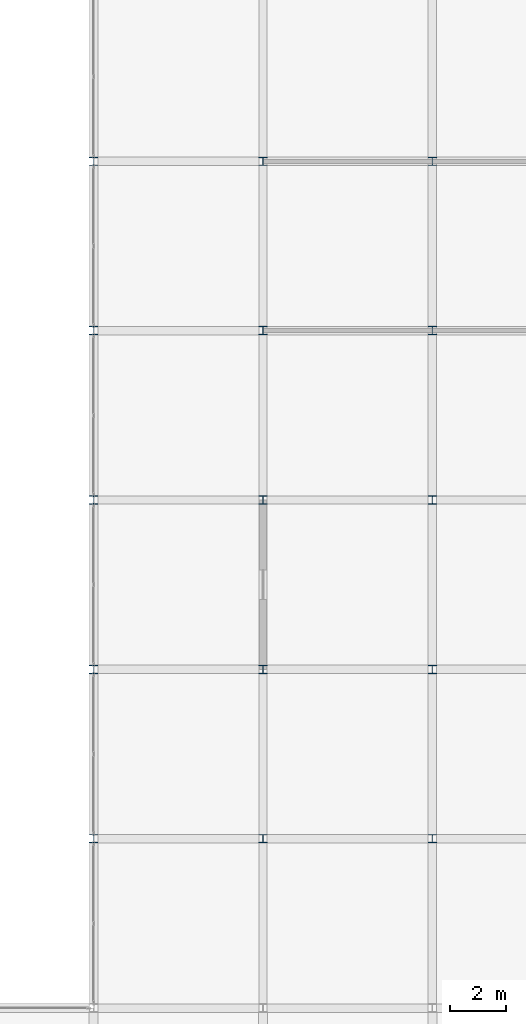
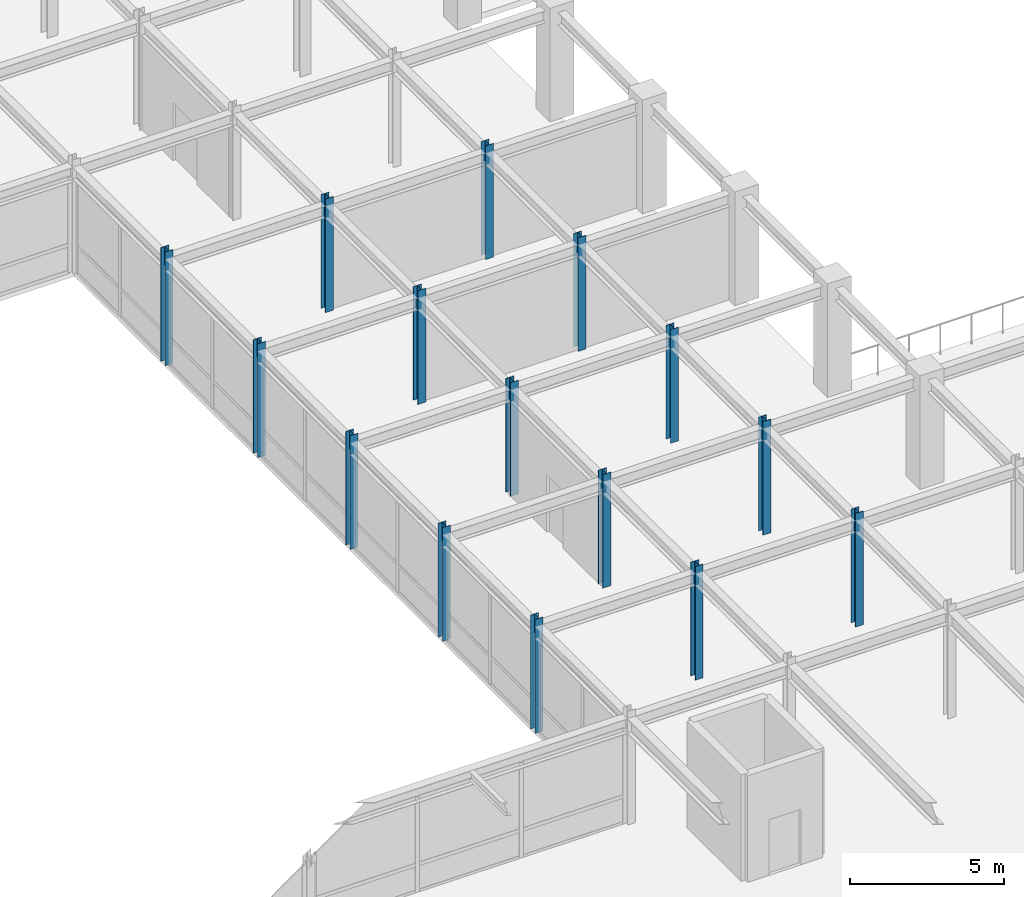
# One storey, part 5 of 108: 15 columns.
"""IFC4 building model written with IfcOpenShell, lengths in metres."""

from ifc_helpers import new_model, si_unit, direction, frame, origin, origin_2d, place, context, subcontext, project, spatial, i_section, extrude, material, material_profile, profile_set, type_object, element, save


model = new_model("IFC4")

# Units and contexts
model_context = context("Model", 3, precision=1e-05, world=origin(), true_north=direction((0.0, 1.0)))
body_context = subcontext(model_context, "Body", "Model", "MODEL_VIEW")
ifc_project = project(units=[si_unit("LENGTHUNIT", "METRE"), si_unit("AREAUNIT", "SQUARE_METRE"), si_unit("VOLUMEUNIT", "CUBIC_METRE"), si_unit("PLANEANGLEUNIT", "RADIAN"), si_unit("MASSUNIT", "GRAM", prefix="KILO")], contexts=[model_context])

# Site, building, storey
site_placement = place(None, origin())
site = spatial("IfcSite", under=ifc_project, at=site_placement, CompositionType="ELEMENT")
building_placement = place(site_placement, origin())
building = spatial("IfcBuilding", under=site, at=building_placement, Name="Zlatovratsky Civic Hall", CompositionType="ELEMENT")
storey_placement = place(building_placement, frame((0.0, 0.0, 12.0)))
storey = spatial("IfcBuildingStorey", under=building, at=storey_placement, Name="L03", CompositionType="ELEMENT", Elevation=12.0)

# Columns
ifc_material = material(Name="Steel S355", Category="steel")
ifc_material_profile = material_profile(ifc_material, i_section(OverallWidth=0.299072265625, OverallDepth=0.2958984375, WebThickness=0.009033203125, FlangeThickness=0.013916015625, FilletRadius=0.01806640625, at=origin_2d()), Name="30K1")
ifc_profile_set = profile_set([ifc_material_profile], Name="Steel S355")
column_type = type_object("IfcColumnType", Name="Col_Steel_30K1", PredefinedType="COLUMN", material=ifc_profile_set)
for number, where, z_axis, x_axis, name in (
    (1, (48.0, 36.0, 0.0), (0.0, 0.0, 1.0), (1.0, 0.0, 0.0), "CL-1272"),
    (2, (54.0, 36.0, 0.0), (0.0, 0.0, 1.0), (1.0, 0.0, 0.0), "CL-1273"),
    (3, (60.0, 36.0, 0.0), (0.0, 0.0, 1.0), (1.0, 0.0, 0.0), "CL-1274"),
    (4, (48.0, 42.0, 0.0), (0.0, 0.0, 1.0), (1.0, 0.0, 0.0), "CL-1291"),
    (5, (54.0, 42.0, 0.0), (0.0, 0.0, 1.0), (1.0, 0.0, 0.0), "CL-1292"),
    (6, (60.0, 42.0, 0.0), (0.0, 0.0, 1.0), (1.0, 0.0, 0.0), "CL-1293"),
    (7, (48.0, 48.0, 0.0), (0.0, 0.0, 1.0), (1.0, 0.0, 0.0), "CL-1310"),
    (8, (54.0, 48.0, 0.0), (0.0, 0.0, 1.0), (1.0, 0.0, 0.0), "CL-1311"),
    (9, (60.0, 48.0, 0.0), (0.0, 0.0, 1.0), (1.0, 0.0, 0.0), "CL-1312"),
    (10, (48.0, 54.0, 0.0), (0.0, 0.0, 1.0), (1.0, 0.0, 0.0), "CL-1324"),
    (11, (54.0, 54.0, 0.0), (0.0, 0.0, 1.0), (1.0, 0.0, 0.0), "CL-1325"),
    (12, (60.0, 54.0, 0.0), (0.0, 0.0, 1.0), (1.0, 0.0, 0.0), "CL-1326"),
    (13, (48.0, 60.0, 0.0), (0.0, 0.0, 1.0), (1.0, 0.0, 0.0), "CL-1338"),
    (14, (54.0, 60.0, 0.0), (0.0, 0.0, 1.0), (1.0, 0.0, 0.0), "CL-1339"),
    (15, (60.0, 60.0, 0.0), (0.0, 0.0, 1.0), (1.0, 0.0, 0.0), "CL-1340"),
):
    element("IfcColumn", number, at=place(storey_placement, frame(where, z_axis=z_axis, x_axis=x_axis)), inside=storey, type_object=column_type, Name=name, PredefinedType="COLUMN", context=body_context, shape_type="SweptSolid", body=[
        extrude(i_section(OverallWidth=0.299072265625, OverallDepth=0.2958984375, WebThickness=0.009033203125, FlangeThickness=0.013916015625, FilletRadius=0.01806640625, at=origin_2d()), origin(), (0.0, 0.0, 1.0), 4.5),
    ])

save(model, "model.ifc")
